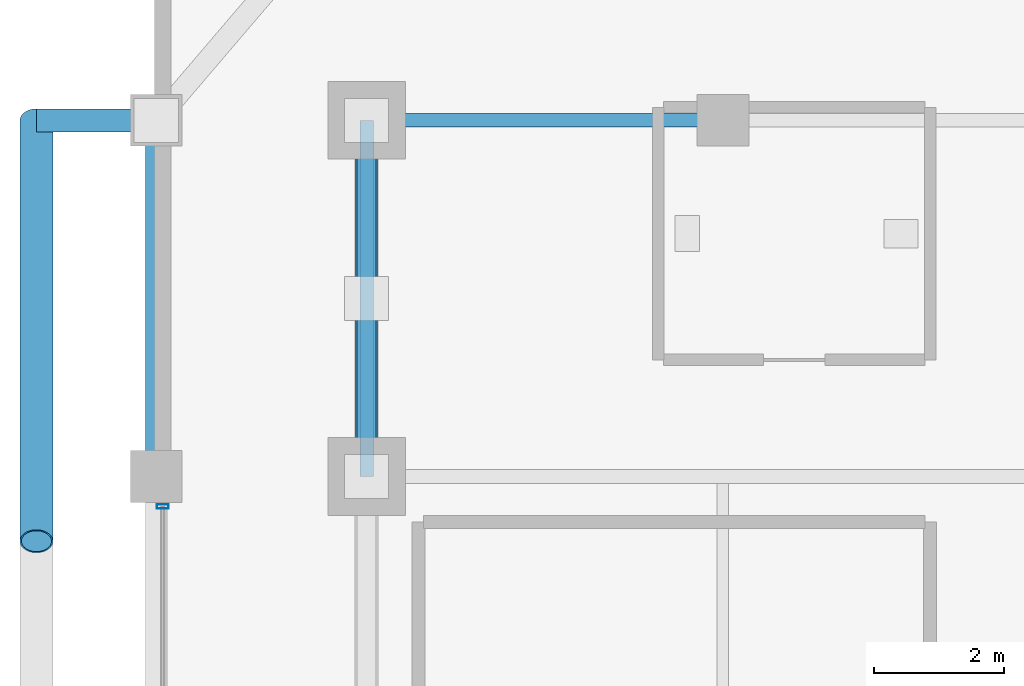
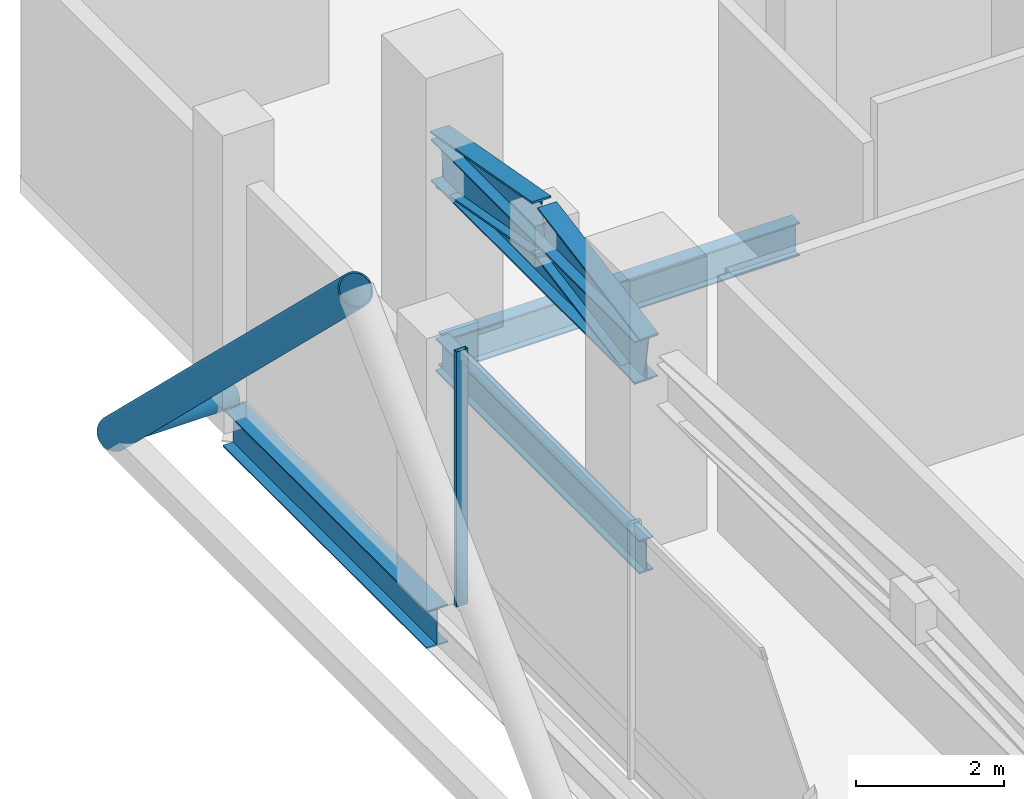
# One storey, part 12 of 22: 6 members, 3 beams, 1 element without a shape of its own.
"""IFC4 building model written with IfcOpenShell, lengths in metres."""

from ifc_helpers import new_model, si_unit, direction, frame, origin, origin_2d, place, context, subcontext, project, spatial, hollow_rectangle, hollow_circle, i_section, extrude, material, layer, layer_set, material_profile, profile_set, type_object, element, aggregate, save


model = new_model("IFC4")

# Units and contexts
model_context = context("Model", 3, precision=1e-05, world=origin(), true_north=direction((0.0, 1.0)))
body_context = subcontext(model_context, "Body", "Model", "MODEL_VIEW")
ifc_project = project(units=[si_unit("LENGTHUNIT", "METRE"), si_unit("AREAUNIT", "SQUARE_METRE"), si_unit("VOLUMEUNIT", "CUBIC_METRE"), si_unit("PLANEANGLEUNIT", "RADIAN"), si_unit("MASSUNIT", "GRAM", prefix="KILO")], contexts=[model_context])

# Site, building, storey
site_placement = place(None, origin())
site = spatial("IfcSite", under=ifc_project, at=site_placement, CompositionType="ELEMENT")
building_placement = place(site_placement, origin())
building = spatial("IfcBuilding", under=site, at=building_placement, Name="Barlavira Tower and Art Museum", CompositionType="ELEMENT")
storey_placement = place(building_placement, frame((0.0, 0.0, 120.60009765625)))
storey = spatial("IfcBuildingStorey", under=building, at=storey_placement, Name="L30", CompositionType="ELEMENT", Elevation=120.60009765625)

# Members
ifc_material_1 = material(Name="Steel S355", Category="steel")
ifc_material_profile_1 = material_profile(ifc_material_1, i_section(OverallWidth=0.35595703125, OverallDepth=0.695068359375, WebThickness=0.014892578125, FlangeThickness=0.023681640625, at=origin_2d()), Name="W690x192.0")
ifc_profile_set_1 = profile_set([ifc_material_profile_1], Name="Steel S355")
member_type_1 = type_object("IfcMemberType", Name="Belt Truss Chord Member W690x192 Steel S355", PredefinedType="CHORD", material=ifc_profile_set_1)
member_1_placement = place(storey_placement, frame((-17.0, 7.5, 2.64990234375), z_axis=(0.0, 1.0, 0.0), x_axis=(-1.0, 0.0, 0.0)))
element("IfcMember", 1, at=member_1_placement, inside=storey, type_object=member_type_1, Name="L30 Belt Truss Bottom Chord BW3", PredefinedType="CHORD", context=body_context, shape_type="SweptSolid", body=[
    extrude(i_section(OverallWidth=0.35595703125, OverallDepth=0.695068359375, WebThickness=0.014892578125, FlangeThickness=0.023681640625, at=origin_2d()), origin(), (0.0, 0.0, 1.0), 5.5),
])
ifc_material_profile_2 = material_profile(ifc_material_1, i_section(OverallWidth=0.2939453125, OverallDepth=0.85107421875, WebThickness=0.017333984375, FlangeThickness=0.0283203125, at=origin_2d()), Name="W840x251.0")
ifc_profile_set_2 = profile_set([ifc_material_profile_2], Name="Steel S355")
member_type_2 = type_object("IfcMemberType", Name="Belt Truss Diagonal Brace W840x251 Steel S355", PredefinedType="BRACE", material=ifc_profile_set_2)
for number, where, z_axis, x_axis, name in (
    (2, (-17.0, 7.5, 2.64990234375), (0.0, 0.9838699101, 0.1788854382), (-1.0, 0.0, 0.0), "L30 Belt Truss Diagonal BW3-1"),
    (3, (-17.0, 10.25, 3.14990234375), (0.0, 0.9838699101, -0.1788854382), (-1.0, 0.0, 0.0), "L30 Belt Truss Diagonal BW3-2"),
):
    element("IfcMember", number, at=place(storey_placement, frame(where, z_axis=z_axis, x_axis=x_axis)), inside=storey, type_object=member_type_2, Name=name, PredefinedType="BRACE", context=body_context, shape_type="SweptSolid", body=[
        extrude(i_section(OverallWidth=0.2939453125, OverallDepth=0.85107421875, WebThickness=0.017333984375, FlangeThickness=0.0283203125, at=origin_2d()), origin(), (0.0, 0.0, 1.0), 2.795166015625),
    ])

# Curtain wall, member
ifc_material_2 = material(Name="Low-iron coastal laminated glass", Category="glass")
ifc_layer = layer(ifc_material_2, 0.18994140625, Name="Low-iron coastal laminated glass")
ifc_layer_set = layer_set([ifc_layer], Name="Low-iron coastal laminated glass")
curtain_wall_type = type_object("IfcCurtainWallType", Name="Pale-Metal Unitised Curtain Wall Zone 2", PredefinedType="NOTDEFINED", material=ifc_layer_set)
curtain_wall_placement = place(storey_placement, origin())
curtain_wall = element("IfcCurtainWall", 4, at=curtain_wall_placement, inside=storey, type_object=curtain_wall_type, Name="L30 Curtain Wall CW2-L30-W-B3", PredefinedType="NOTDEFINED")
ifc_material_3 = material(Name="Pale anodised aluminium", Category="aluminium")
ifc_material_profile_3 = material_profile(ifc_material_3, hollow_rectangle(XDim=0.06494140625, YDim=0.179931640625, WallThickness=0.00390625, at=origin_2d()), Name="ALU-MULL 65x180x4")
ifc_profile_set_3 = profile_set([ifc_material_profile_3], Name="Pale anodised aluminium")
member_type_3 = type_object("IfcMemberType", Name="Curtain Wall Pale-Metal Mullion 65x180", PredefinedType="MULLION", material=ifc_profile_set_3)
member_2_placement = place(storey_placement, frame((-20.14990234375, 7.034912109375, 0.0), z_axis=(0.0, 0.0, 1.0), x_axis=(0.0, -1.0, 0.0)))
member_2 = element("IfcMember", 5, at=member_2_placement, type_object=member_type_3, Name="CW2-L30-W-B3 Mullion 0", PredefinedType="MULLION", context=body_context, shape_type="SweptSolid", body=[
    extrude(hollow_rectangle(XDim=0.06494140625, YDim=0.179931640625, WallThickness=0.00390625, at=origin_2d()), origin(), (0.0, 0.0, 1.0), 4.199951171875),
])
aggregate(curtain_wall, [member_2])

# Members
ifc_material_profile_4 = material_profile(ifc_material_1, hollow_circle(Radius=0.25390625, WallThickness=0.022216796875, at=origin_2d()), Name="CHS 508.0x22.2")
ifc_profile_set_4 = profile_set([ifc_material_profile_4], Name="Steel S355")
member_type_4 = type_object("IfcMemberType", Name="Pale-Metal Exoskeleton Diagrid Tube CHS 508x22 Steel S355", PredefinedType="BRACE", material=ifc_profile_set_4)
member_3_placement = place(storey_placement, frame((-22.10009765625, 13.0, -0.1201171875), z_axis=(0.0, -0.718064979499, 0.695976066555), x_axis=(1.0, 0.0, 0.0)))
element("IfcMember", 6, at=member_3_placement, inside=storey, type_object=member_type_4, Name="L30 Exoskeleton Diagrid Tube W", PredefinedType="BRACE", context=body_context, shape_type="SweptSolid", body=[
    extrude(hollow_circle(Radius=0.25390625, WallThickness=0.022216796875, at=origin_2d()), origin(), (0.0, 0.0, 1.0), 9.052001953125),
])
ifc_material_profile_5 = material_profile(ifc_material_1, hollow_circle(Radius=0.177734375, WallThickness=0.01611328125, at=origin_2d()), Name="CHS 355.6x16.0")
ifc_profile_set_5 = profile_set([ifc_material_profile_5], Name="Steel S355")
member_type_5 = type_object("IfcMemberType", Name="Pale-Metal Exoskeleton Tie Strut CHS 356x16 Steel S355", PredefinedType="STRUT", material=ifc_profile_set_5)
member_4_placement = place(storey_placement, frame((-22.10009765625, 13.0, -0.1201171875), z_axis=(1.0, 0.0, 0.0), x_axis=(0.0, 1.0, 0.0)))
element("IfcMember", 7, at=member_4_placement, inside=storey, type_object=member_type_5, Name="L30 Exoskeleton Tie Strut W3", PredefinedType="STRUT", context=body_context, shape_type="SweptSolid", body=[
    extrude(hollow_circle(Radius=0.177734375, WallThickness=0.01611328125, at=origin_2d()), origin(), (0.0, 0.0, 1.0), 1.85009765625),
])

# Beams
ifc_material_profile_6 = material_profile(ifc_material_1, i_section(OverallWidth=0.327880859375, OverallDepth=0.62890625, WebThickness=0.013916015625, FlangeThickness=0.021484375, at=origin_2d()), Name="W610x174.0")
ifc_profile_set_6 = profile_set([ifc_material_profile_6], Name="Steel S355")
beam_type_1 = type_object("IfcBeamType", Name="Perimeter Spandrel Edge Beam W610x174 Steel S355", PredefinedType="SPANDREL", material=ifc_profile_set_6)
beam_placement = place(storey_placement, frame((-20.25, 7.5, -0.614501953125), z_axis=(0.0, 1.0, 0.0), x_axis=(-1.0, 0.0, 0.0)))
element("IfcBeam", 8, at=beam_placement, inside=storey, type_object=beam_type_1, Name="L30 Spandrel 13", PredefinedType="SPANDREL", context=body_context, shape_type="SweptSolid", body=[
    extrude(i_section(OverallWidth=0.327880859375, OverallDepth=0.62890625, WebThickness=0.013916015625, FlangeThickness=0.021484375, at=origin_2d()), origin(), (0.0, 0.0, 1.0), 5.5),
])
ifc_material_profile_7 = material_profile(ifc_material_1, i_section(OverallWidth=0.214111328125, OverallDepth=0.549072265625, WebThickness=0.0146484375, FlangeThickness=0.023681640625, at=origin_2d()), Name="W530x138.0")
ifc_profile_set_7 = profile_set([ifc_material_profile_7], Name="Steel S355")
beam_type_2 = type_object("IfcBeamType", Name="Zone 1 Primary Floor Girder W530x138 Steel S355", PredefinedType="BEAM", material=ifc_profile_set_7)
for number, where, z_axis, x_axis, name in (
    (9, (-17.0, 7.5, -0.57470703125), (0.0, 1.0, 0.0), (-1.0, 0.0, 0.0), "L30 Girder M-W3"),
    (10, (-17.0, 13.0, -0.57470703125), (1.0, 0.0, 0.0), (0.0, 1.0, 0.0), "L30 Girder I-N1"),
):
    element("IfcBeam", number, at=place(storey_placement, frame(where, z_axis=z_axis, x_axis=x_axis)), inside=storey, type_object=beam_type_2, Name=name, PredefinedType="BEAM", context=body_context, shape_type="SweptSolid", body=[
        extrude(i_section(OverallWidth=0.214111328125, OverallDepth=0.549072265625, WebThickness=0.0146484375, FlangeThickness=0.023681640625, at=origin_2d()), origin(), (0.0, 0.0, 1.0), 5.5),
    ])

save(model, "model.ifc")
